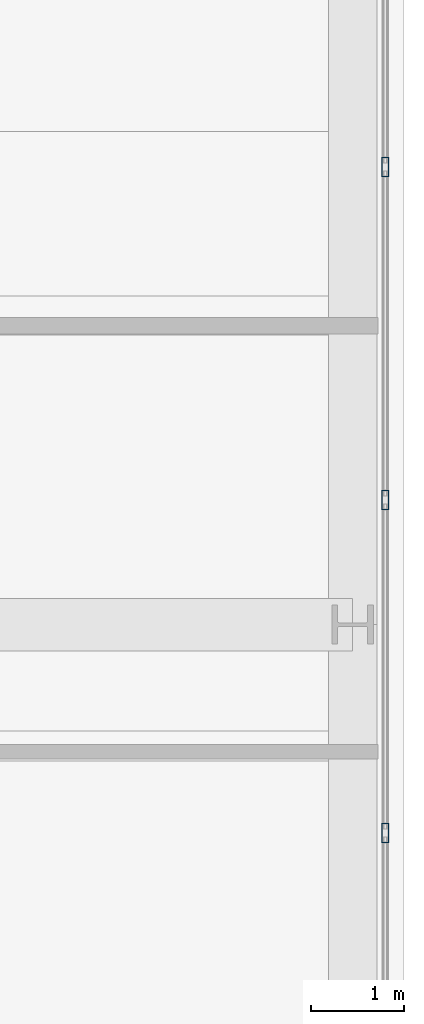
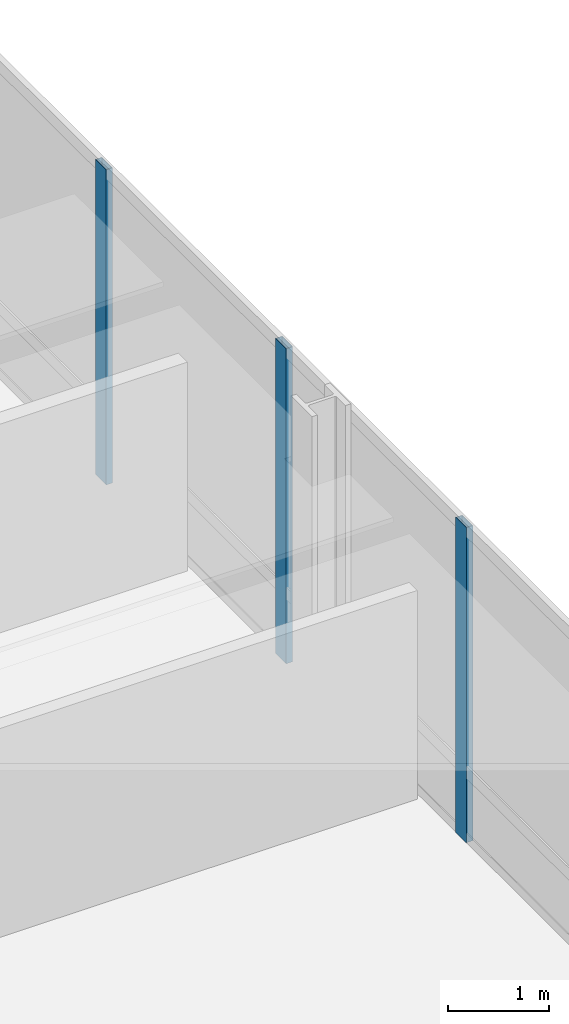
# One storey, part 17 of 35: 3 members, 1 element without a shape of its own.
"""IFC4 building model written with IfcOpenShell, lengths in metres."""

from ifc_helpers import new_model, si_unit, direction, frame, origin, origin_2d, place, context, subcontext, project, spatial, hollow_rectangle, extrude, material, material_profile, profile_set, type_object, element, aggregate, save


model = new_model("IFC4")

# Units and contexts
model_context = context("Model", 3, precision=1e-05, world=origin(), true_north=direction((0.0, 1.0)))
body_context = subcontext(model_context, "Body", "Model", "MODEL_VIEW")
ifc_project = project(units=[si_unit("LENGTHUNIT", "METRE"), si_unit("AREAUNIT", "SQUARE_METRE"), si_unit("VOLUMEUNIT", "CUBIC_METRE"), si_unit("PLANEANGLEUNIT", "RADIAN"), si_unit("MASSUNIT", "GRAM", prefix="KILO")], contexts=[model_context])

# Site, building, storey
site_placement = place(None, origin())
site = spatial("IfcSite", under=ifc_project, at=site_placement, CompositionType="ELEMENT")
building_placement = place(site_placement, origin())
building = spatial("IfcBuilding", under=site, at=building_placement, Name="Punatoya Terracotta Tower", CompositionType="ELEMENT")
storey_placement = place(building_placement, frame((0.0, 0.0, 72.75)))
storey = spatial("IfcBuildingStorey", under=building, at=storey_placement, Name="L16", CompositionType="ELEMENT", Elevation=72.75)

# Curtain wall, members
ifc_material_1 = material(Name="Aluminium 6063-T6 + Double Low-E Glass", Category="aluminium")
curtain_wall_type = type_object("IfcCurtainWallType", Name="CW-M1", PredefinedType="NOTDEFINED", material=ifc_material_1)
curtain_wall_placement = place(storey_placement, origin())
curtain_wall = element("IfcCurtainWall", 1, at=curtain_wall_placement, inside=storey, type_object=curtain_wall_type, Name="L16 Curtain Wall CW-L16-E05-1", PredefinedType="NOTDEFINED")
ifc_material_2 = material(Name="Aluminium 6063-T6", Category="aluminium")
ifc_material_profile = material_profile(ifc_material_2, hollow_rectangle(XDim=0.074951171875, YDim=0.2099609375, WallThickness=0.00439453125, at=origin_2d()))
ifc_profile_set = profile_set([ifc_material_profile], Name="Aluminium 6063-T6")
member_type = type_object("IfcMemberType", Name="CW-MUL-M1", PredefinedType="MULLION", material=ifc_profile_set)
member_1_placement = place(storey_placement, frame((24.85009765625, 1.16748046875, 0.0), z_axis=(0.0, 0.0, 1.0), x_axis=(1.0, 0.0, 0.0)))
member_1 = element("IfcMember", 2, at=member_1_placement, type_object=member_type, Name="CW-L16-E05-1 Mullion 06", PredefinedType="MULLION", context=body_context, shape_type="SweptSolid", body=[
    extrude(hollow_rectangle(XDim=0.074951171875, YDim=0.2099609375, WallThickness=0.00439453125, at=origin_2d()), origin(), (0.0, 0.0, 1.0), 3.81005859375),
])
member_2_placement = place(storey_placement, frame((24.85009765625, 4.73486328125, 0.0), z_axis=(0.0, 0.0, 1.0), x_axis=(1.0, 0.0, 0.0)))
member_2 = element("IfcMember", 3, at=member_2_placement, type_object=member_type, Name="CW-L16-E05-1 Mullion 07", PredefinedType="MULLION", context=body_context, shape_type="SweptSolid", body=[
    extrude(hollow_rectangle(XDim=0.074951171875, YDim=0.2099609375, WallThickness=0.00439453125, at=origin_2d()), origin(), (0.0, 0.0, 1.0), 3.81005859375),
])
member_3_placement = place(storey_placement, frame((24.85009765625, 8.302001953125, 0.0), z_axis=(0.0, 0.0, 1.0), x_axis=(1.0, 0.0, 0.0)))
member_3 = element("IfcMember", 4, at=member_3_placement, type_object=member_type, Name="CW-L16-E05-1 Mullion 08", PredefinedType="MULLION", context=body_context, shape_type="SweptSolid", body=[
    extrude(hollow_rectangle(XDim=0.074951171875, YDim=0.2099609375, WallThickness=0.00439453125, at=origin_2d()), origin(), (0.0, 0.0, 1.0), 3.81005859375),
])
aggregate(curtain_wall, [member_1, member_2, member_3])

save(model, "model.ifc")
